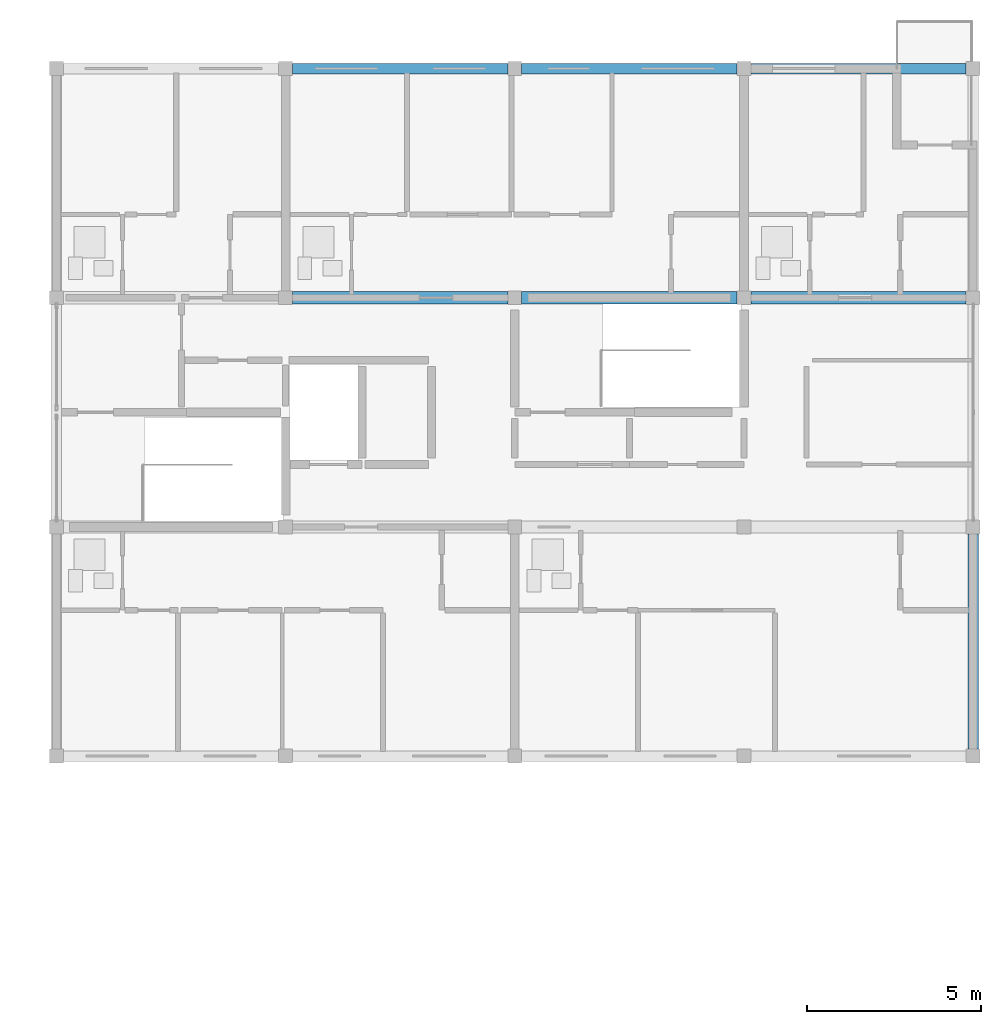
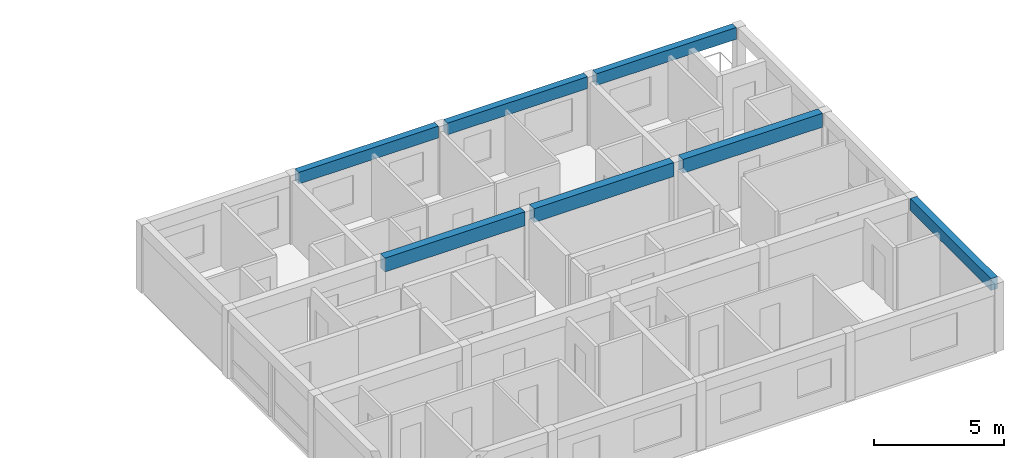
# One storey, part 10 of 23: 7 beams.
"""IFC4 building model written with IfcOpenShell, lengths in metres."""

from ifc_helpers import new_model, si_unit, direction, frame, origin, origin_2d, place, context, subcontext, project, spatial, rectangle, extrude, material, material_profile, profile_set, type_object, element, save


model = new_model("IFC4")

# Units and contexts
model_context = context("Model", 3, precision=1e-05, world=origin(), true_north=direction((0.0, 1.0)))
body_context = subcontext(model_context, "Body", "Model", "MODEL_VIEW")
ifc_project = project(units=[si_unit("LENGTHUNIT", "METRE"), si_unit("AREAUNIT", "SQUARE_METRE"), si_unit("VOLUMEUNIT", "CUBIC_METRE"), si_unit("PLANEANGLEUNIT", "RADIAN"), si_unit("MASSUNIT", "GRAM", prefix="KILO")], contexts=[model_context])

# Site, building, storey
site_placement = place(None, origin())
site = spatial("IfcSite", under=ifc_project, at=site_placement, CompositionType="ELEMENT")
building_placement = place(site_placement, origin())
building = spatial("IfcBuilding", under=site, at=building_placement, Name="Kernevlak Ridge Housing Community", CompositionType="ELEMENT")
storey_placement = place(building_placement, frame((0.0, 0.0, 46.800048828125)))
storey = spatial("IfcBuildingStorey", under=building, at=storey_placement, Name="L14", CompositionType="ELEMENT", Elevation=46.800048828125)

# Beams
ifc_material = material(Name="Concrete C35/45", Category="concrete")
ifc_material_profile_1 = material_profile(ifc_material, rectangle(XDim=0.35009765625, YDim=0.64990234375, at=origin_2d()), Name="RC 350x650")
ifc_profile_set_1 = profile_set([ifc_material_profile_1], Name="Concrete C35/45")
beam_type_1 = type_object("IfcBeamType", Name="B-02", PredefinedType="BEAM", material=ifc_profile_set_1)
for number, where, z_axis, x_axis, name in (
    (1, (126.199951171875, 95.800048828125, 2.875), (1.0, 0.0, 0.0), (0.0, 1.0, 0.0), "Beam B-02 L14 946"),
    (2, (132.800048828125, 95.800048828125, 2.875), (1.0, 0.0, 0.0), (0.0, 1.0, 0.0), "Beam B-02 L14 947"),
):
    element("IfcBeam", number, at=place(storey_placement, frame(where, z_axis=z_axis, x_axis=x_axis)), inside=storey, type_object=beam_type_1, Name=name, PredefinedType="BEAM", context=body_context, shape_type="SweptSolid", body=[
        extrude(rectangle(XDim=0.35009765625, YDim=0.64990234375, at=origin_2d()), origin(), (0.0, 0.0, 1.0), 6.199951171875),
    ])
beam_1_placement = place(storey_placement, frame((139.39990234375, 95.800048828125, 2.875), z_axis=(1.0, 0.0, 0.0), x_axis=(0.0, 1.0, 0.0)))
element("IfcBeam", 3, at=beam_1_placement, inside=storey, type_object=beam_type_1, Name="Beam B-02 L14 948", PredefinedType="BEAM", context=body_context, shape_type="SweptSolid", body=[
    extrude(rectangle(XDim=0.35009765625, YDim=0.64990234375, at=origin_2d()), origin(), (0.0, 0.0, 1.0), 6.2001953125),
])
ifc_material_profile_2 = material_profile(ifc_material, rectangle(XDim=0.300048828125, YDim=0.550048828125, at=origin_2d()), Name="RC 300x550")
ifc_profile_set_2 = profile_set([ifc_material_profile_2], Name="Concrete C35/45")
beam_type_2 = type_object("IfcBeamType", Name="SP-01", PredefinedType="SPANDREL", material=ifc_profile_set_2)
for number, where, z_axis, x_axis, name in (
    (4, (126.199951171875, 102.39990234375, 2.925048828125), (1.0, 0.0, 0.0), (0.0, 1.0, 0.0), "Beam SP-01 L14 950"),
    (5, (132.800048828125, 102.39990234375, 2.925048828125), (1.0, 0.0, 0.0), (0.0, 1.0, 0.0), "Beam SP-01 L14 951"),
):
    element("IfcBeam", number, at=place(storey_placement, frame(where, z_axis=z_axis, x_axis=x_axis)), inside=storey, type_object=beam_type_2, Name=name, PredefinedType="SPANDREL", context=body_context, shape_type="SweptSolid", body=[
        extrude(rectangle(XDim=0.300048828125, YDim=0.550048828125, at=origin_2d()), origin(), (0.0, 0.0, 1.0), 6.199951171875),
    ])
beam_2_placement = place(storey_placement, frame((139.39990234375, 102.39990234375, 2.925048828125), z_axis=(1.0, 0.0, 0.0), x_axis=(0.0, 1.0, 0.0)))
element("IfcBeam", 6, at=beam_2_placement, inside=storey, type_object=beam_type_2, Name="Beam SP-01 L14 952", PredefinedType="SPANDREL", context=body_context, shape_type="SweptSolid", body=[
    extrude(rectangle(XDim=0.300048828125, YDim=0.550048828125, at=origin_2d()), origin(), (0.0, 0.0, 1.0), 6.2001953125),
])
beam_3_placement = place(storey_placement, frame((145.800048828125, 82.800048828125, 2.925048828125), z_axis=(0.0, 1.0, 0.0), x_axis=(-1.0, 0.0, 0.0)))
element("IfcBeam", 7, at=beam_3_placement, inside=storey, type_object=beam_type_2, Name="Beam SP-01 L14 956", PredefinedType="SPANDREL", context=body_context, shape_type="SweptSolid", body=[
    extrude(rectangle(XDim=0.300048828125, YDim=0.550048828125, at=origin_2d()), origin(), (0.0, 0.0, 1.0), 6.199951171875),
])

save(model, "model.ifc")
